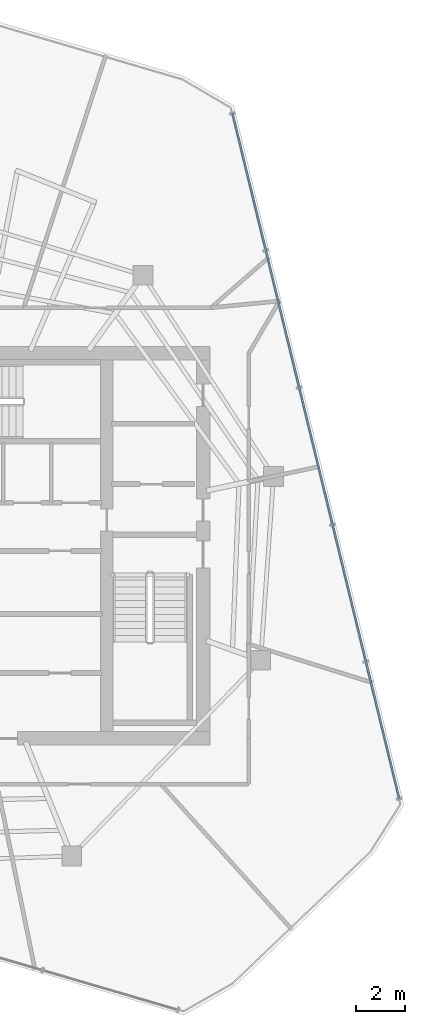
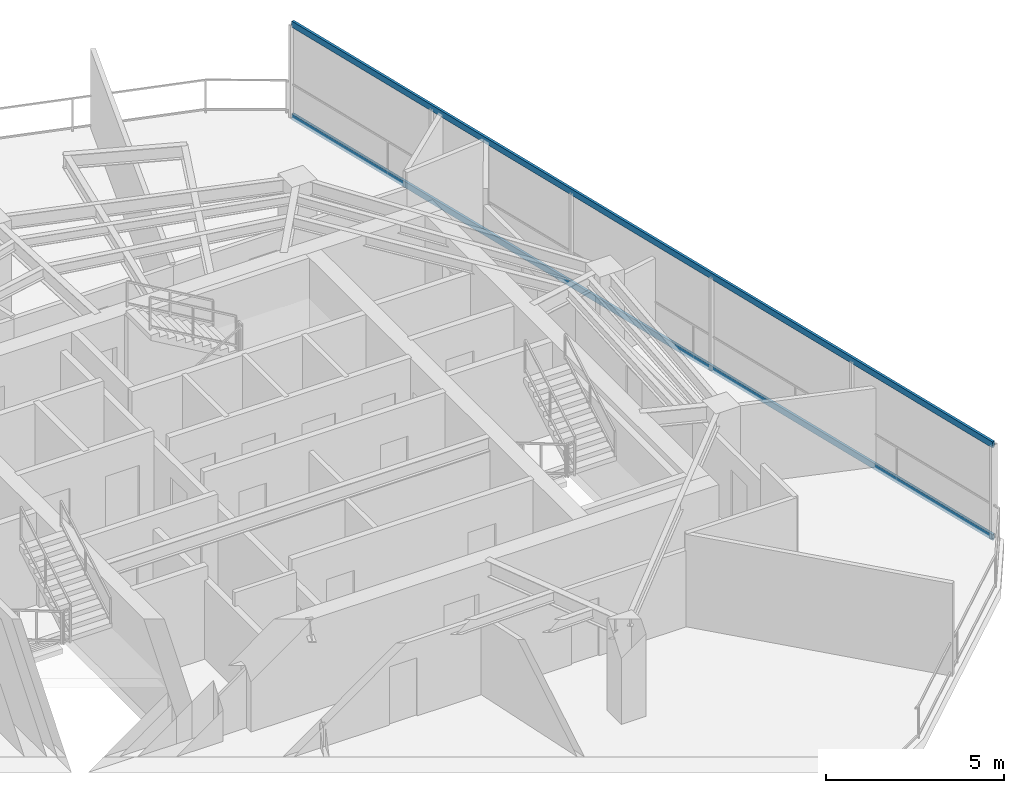
# One storey, part 11 of 19: 2 members, 1 element without a shape of its own.
"""IFC4 building model written with IfcOpenShell, lengths in metres."""

from ifc_helpers import new_model, si_unit, direction, frame, origin, origin_2d, place, context, subcontext, project, spatial, hollow_rectangle, extrude, material, layer, layer_set, material_profile, profile_set, type_object, element, aggregate, save


model = new_model("IFC4")

# Units and contexts
model_context = context("Model", 3, precision=1e-05, world=origin(), true_north=direction((0.0, 1.0)))
body_context = subcontext(model_context, "Body", "Model", "MODEL_VIEW")
ifc_project = project(units=[si_unit("LENGTHUNIT", "METRE"), si_unit("AREAUNIT", "SQUARE_METRE"), si_unit("VOLUMEUNIT", "CUBIC_METRE"), si_unit("PLANEANGLEUNIT", "RADIAN"), si_unit("MASSUNIT", "GRAM", prefix="KILO")], contexts=[model_context])

# Site, building, storey
site_placement = place(None, origin())
site = spatial("IfcSite", under=ifc_project, at=site_placement, CompositionType="ELEMENT")
building_placement = place(site_placement, origin())
building = spatial("IfcBuilding", under=site, at=building_placement, Name="Qarnah Convention Tower", CompositionType="ELEMENT")
storey_placement = place(building_placement, frame((0.0, 0.0, 231.89990234375)))
storey = spatial("IfcBuildingStorey", under=building, at=storey_placement, Name="L62", CompositionType="ELEMENT", Elevation=231.89990234375)

# Curtain wall, members
ifc_material_1 = material(Name="Tempered Low-E dark glass", Category="glass")
ifc_layer = layer(ifc_material_1, 0.176025390625)
ifc_layer_set = layer_set([ifc_layer], Name="Tempered Low-E dark glass")
curtain_wall_type = type_object("IfcCurtainWallType", Name="CWS-05", PredefinedType="NOTDEFINED", material=ifc_layer_set)
curtain_wall_placement = place(storey_placement, origin())
curtain_wall = element("IfcCurtainWall", 1, at=curtain_wall_placement, inside=storey, type_object=curtain_wall_type, Name="L62 unitised curtain wall CW-L62-F3", PredefinedType="NOTDEFINED")
ifc_material_2 = material(Name="Black anodised aluminium", Category="aluminium")
ifc_material_profile = material_profile(ifc_material_2, hollow_rectangle(XDim=0.080078125, YDim=0.2099609375, WallThickness=0.0048828125, at=origin_2d()), Name="TRN-80X210")
ifc_profile_set = profile_set([ifc_material_profile], Name="Black anodised aluminium")
member_type = type_object("IfcMemberType", Name="TRN-T5", PredefinedType="USERDEFINED", material=ifc_profile_set)
member_1_placement = place(storey_placement, frame((48.794921875, 43.925048828125, 0.0), z_axis=(0.236497228752, -0.971632163317, 0.0), x_axis=(0.971632163317, 0.236497228752, 0.0)))
member_1 = element("IfcMember", 2, at=member_1_placement, type_object=member_type, Name="CW-L62-F3 transom 1", ObjectType="TRANSOM", PredefinedType="USERDEFINED", context=body_context, shape_type="SweptSolid", body=[
    extrude(hollow_rectangle(XDim=0.080078125, YDim=0.2099609375, WallThickness=0.0048828125, at=origin_2d()), origin(), (0.0, 0.0, 1.0), 28.571533203125),
])
member_2_placement = place(storey_placement, frame((48.794921875, 43.925048828125, 3.18017578125), z_axis=(0.236497228752, -0.971632163317, 0.0), x_axis=(0.971632163317, 0.236497228752, 0.0)))
member_2 = element("IfcMember", 3, at=member_2_placement, type_object=member_type, Name="CW-L62-F3 transom 2", ObjectType="TRANSOM", PredefinedType="USERDEFINED", context=body_context, shape_type="SweptSolid", body=[
    extrude(hollow_rectangle(XDim=0.080078125, YDim=0.2099609375, WallThickness=0.0048828125, at=origin_2d()), origin(), (0.0, 0.0, 1.0), 28.571533203125),
])
aggregate(curtain_wall, [member_1, member_2])

save(model, "model.ifc")
